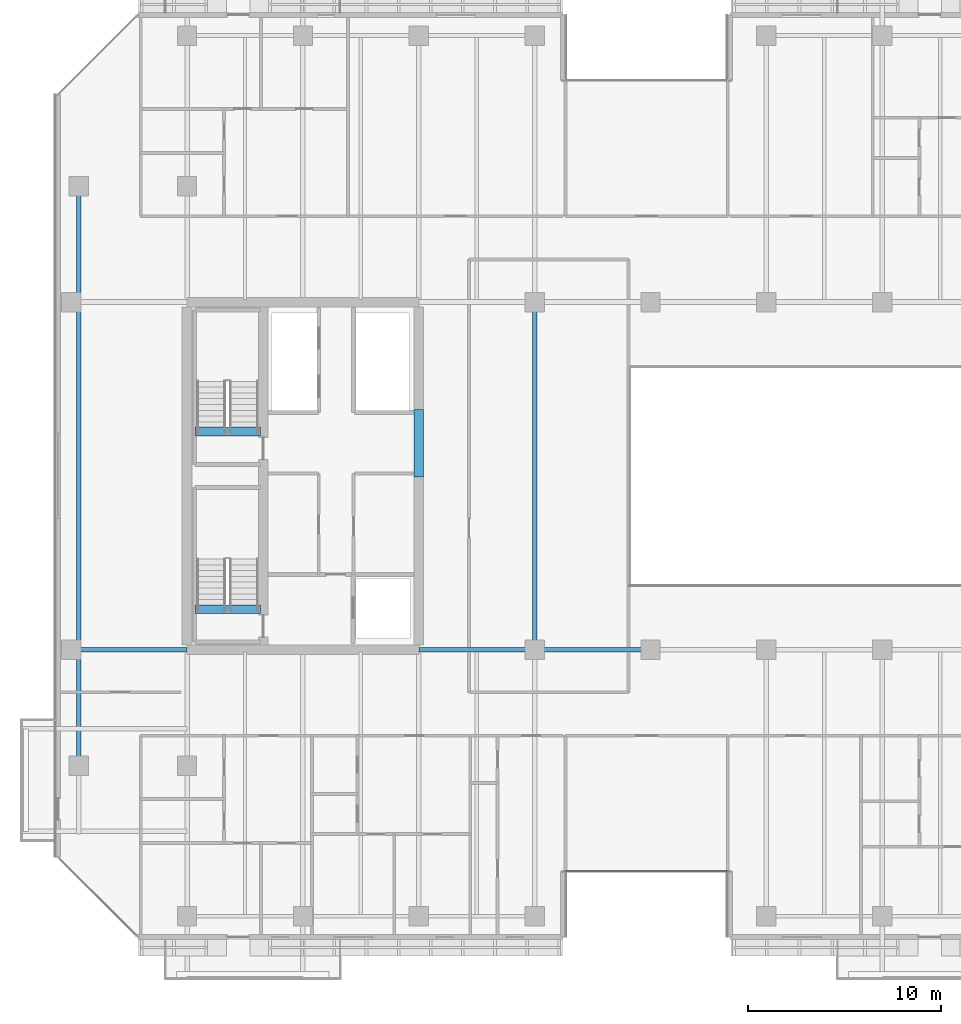
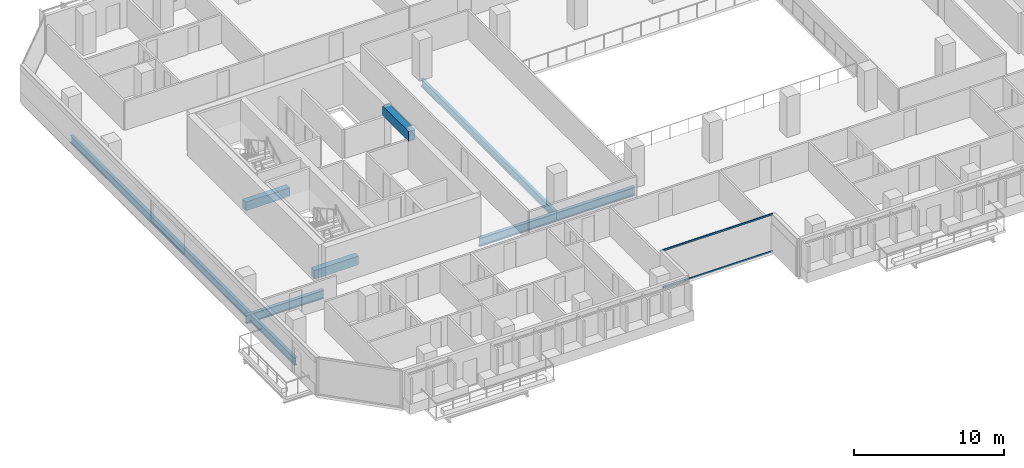
# One storey, part 5 of 33: 8 beams, 2 members, 1 element without a shape of its own.
"""IFC4 building model written with IfcOpenShell, lengths in metres."""

from ifc_helpers import new_model, si_unit, direction, frame, origin, origin_2d, place, context, subcontext, project, spatial, rectangle, hollow_rectangle, i_section, extrude, material, layer, layer_set, material_profile, profile_set, type_object, element, aggregate, save


model = new_model("IFC4")

# Units and contexts
model_context = context("Model", 3, precision=1e-05, world=origin(), true_north=direction((0.0, 1.0)))
body_context = subcontext(model_context, "Body", "Model", "MODEL_VIEW")
ifc_project = project(units=[si_unit("LENGTHUNIT", "METRE"), si_unit("AREAUNIT", "SQUARE_METRE"), si_unit("VOLUMEUNIT", "CUBIC_METRE"), si_unit("PLANEANGLEUNIT", "RADIAN"), si_unit("MASSUNIT", "GRAM", prefix="KILO")], contexts=[model_context])

# Site, building, storey
site_placement = place(None, origin())
site = spatial("IfcSite", under=ifc_project, at=site_placement, CompositionType="ELEMENT")
building_placement = place(site_placement, origin())
building = spatial("IfcBuilding", under=site, at=building_placement, Name="Tanjung Sevakor Pilgrim Tower", CompositionType="ELEMENT")
storey_placement = place(building_placement, frame((0.0, 0.0, 95.3701171875)))
storey = spatial("IfcBuildingStorey", under=building, at=storey_placement, Name="L26", CompositionType="ELEMENT", Elevation=95.3701171875)

# Beams
ifc_material_1 = material(Name="Steel S355J2", Category="steel")
ifc_material_profile_1 = material_profile(ifc_material_1, i_section(OverallWidth=0.25439453125, OverallDepth=0.6875, WebThickness=0.01318359375, FlangeThickness=0.02099609375, FilletRadius=0.01513671875, at=origin_2d()))
ifc_profile_set_1 = profile_set([ifc_material_profile_1], Name="Steel S355J2")
beam_type_1 = type_object("IfcBeamType", Name="BM-B-G2-UB_686x254x152", PredefinedType="BEAM", material=ifc_profile_set_1)
for number, where, z_axis, x_axis, name in (
    (1, (18.0, 24.60009765625, -0.563720703125), (1.0, 0.0, 0.0), (0.0, 1.0, 0.0), "L26 Primary Floor Girder MAIN Y246-01"),
    (2, (36.0, 24.60009765625, -0.563720703125), (1.0, 0.0, 0.0), (0.0, 1.0, 0.0), "L26 Primary Floor Girder MAIN Y246-02"),
    (3, (42.0, 24.60009765625, -0.563720703125), (1.0, 0.0, 0.0), (0.0, 1.0, 0.0), "L26 Primary Floor Girder MAIN Y246-03"),
):
    element("IfcBeam", number, at=place(storey_placement, frame(where, z_axis=z_axis, x_axis=x_axis)), inside=storey, type_object=beam_type_1, Name=name, PredefinedType="BEAM", context=body_context, shape_type="SweptSolid", body=[
        extrude(i_section(OverallWidth=0.25439453125, OverallDepth=0.6875, WebThickness=0.01318359375, FlangeThickness=0.02099609375, FilletRadius=0.01513671875, at=origin_2d()), origin(), (0.0, 0.0, 1.0), 6.0),
    ])
ifc_material_2 = material(Name="Steel S355J2", Category="steel")
ifc_material_profile_2 = material_profile(ifc_material_2, i_section(OverallWidth=0.230224609375, OverallDepth=0.6171875, WebThickness=0.01318359375, FlangeThickness=0.022216796875, FilletRadius=0.0126953125, at=origin_2d()))
ifc_profile_set_2 = profile_set([ifc_material_profile_2], Name="Steel S355J2")
beam_type_2 = type_object("IfcBeamType", Name="BM-B-G3-UB_610x229x140", PredefinedType="BEAM", material=ifc_profile_set_2)
beam_1_placement = place(storey_placement, frame((42.0, 24.60009765625, -0.52880859375), z_axis=(0.0, 1.0, 0.0), x_axis=(-1.0, 0.0, 0.0)))
element("IfcBeam", 4, at=beam_1_placement, inside=storey, type_object=beam_type_2, Name="L26 MAIN Girder 010", PredefinedType="BEAM", context=body_context, shape_type="SweptSolid", body=[
    extrude(i_section(OverallWidth=0.230224609375, OverallDepth=0.6171875, WebThickness=0.01318359375, FlangeThickness=0.022216796875, FilletRadius=0.0126953125, at=origin_2d()), origin(), (0.0, 0.0, 1.0), 18.0),
])
ifc_material_3 = material(Name="Steel S355J2", Category="steel")
ifc_material_profile_3 = material_profile(ifc_material_3, i_section(OverallWidth=0.22900390625, OverallDepth=0.6123046875, WebThickness=0.011962890625, FlangeThickness=0.01953125, FilletRadius=0.0126953125, at=origin_2d()))
ifc_profile_set_3 = profile_set([ifc_material_profile_3], Name="Steel S355J2")
beam_type_3 = type_object("IfcBeamType", Name="BM-B-G4-UB_610x229x125", PredefinedType="BEAM", material=ifc_profile_set_3)
beam_2_placement = place(storey_placement, frame((18.39990234375, 18.60009765625, -0.526123046875), z_axis=(0.0, 1.0, 0.0), x_axis=(-1.0, 0.0, 0.0)))
element("IfcBeam", 5, at=beam_2_placement, inside=storey, type_object=beam_type_3, Name="L26 Short-End Edge Girder W", PredefinedType="BEAM", context=body_context, shape_type="SweptSolid", body=[
    extrude(i_section(OverallWidth=0.22900390625, OverallDepth=0.6123046875, WebThickness=0.011962890625, FlangeThickness=0.01953125, FilletRadius=0.0126953125, at=origin_2d()), origin(), (0.0, 0.0, 1.0), 30.0),
])
ifc_material_4 = material(Name="Concrete C60/75", Category="concrete")
ifc_material_profile_4 = material_profile(ifc_material_4, rectangle(XDim=0.5, YDim=0.800048828125, at=origin_2d()))
ifc_profile_set_4 = profile_set([ifc_material_profile_4], Name="Concrete C60/75")
beam_type_4 = type_object("IfcBeamType", Name="BM-B-LN2-RC-BM_500x800", PredefinedType="LINTEL", material=ifc_profile_set_4)
beam_3_placement = place(storey_placement, frame((36.0, 33.550048828125, 2.679931640625), z_axis=(0.0, 1.0, 0.0), x_axis=(-1.0, 0.0, 0.0)))
element("IfcBeam", 6, at=beam_3_placement, inside=storey, type_object=beam_type_4, Name="L26 W Core Coupling Lintel", PredefinedType="LINTEL", context=body_context, shape_type="SweptSolid", body=[
    extrude(rectangle(XDim=0.5, YDim=0.800048828125, at=origin_2d()), origin(), (0.0, 0.0, 1.0), 3.5),
])
ifc_material_5 = material(Name="Concrete C60/75", Category="concrete")
ifc_material_profile_5 = material_profile(ifc_material_5, rectangle(XDim=0.449951171875, YDim=0.699951171875, at=origin_2d()))
ifc_profile_set_5 = profile_set([ifc_material_profile_5], Name="Concrete C60/75")
beam_type_5 = type_object("IfcBeamType", Name="BM-B-LN3-RC-BM_450x700", PredefinedType="LINTEL", material=ifc_profile_set_5)
for number, where, z_axis, x_axis, name in (
    (7, (24.39990234375, 26.699951171875, -0.35009765625), (1.0, 0.0, 0.0), (0.0, 1.0, 0.0), "L26 TS-W1 Stair Threshold Beam"),
    (8, (24.39990234375, 35.89990234375, -0.35009765625), (1.0, 0.0, 0.0), (0.0, 1.0, 0.0), "L26 TS-W2 Stair Threshold Beam"),
):
    element("IfcBeam", number, at=place(storey_placement, frame(where, z_axis=z_axis, x_axis=x_axis)), inside=storey, type_object=beam_type_5, Name=name, PredefinedType="LINTEL", context=body_context, shape_type="SweptSolid", body=[
        extrude(rectangle(XDim=0.449951171875, YDim=0.699951171875, at=origin_2d()), origin(), (0.0, 0.0, 1.0), 3.400146484375),
    ])

# Curtain wall, members
ifc_material_6 = material(Name="Aluminium 6063-T6 and Low-E Glass", Category="aluminium")
ifc_layer = layer(ifc_material_6, 0.179931640625)
ifc_layer_set = layer_set([ifc_layer], Name="CW-SYS-CLEFT")
curtain_wall_type = type_object("IfcCurtainWallType", Name="CW-SYS-CLEFT", PredefinedType="NOTDEFINED", material=ifc_layer_set)
curtain_wall_placement = place(storey_placement, origin())
curtain_wall = element("IfcCurtainWall", 9, at=curtain_wall_placement, inside=storey, type_object=curtain_wall_type, Name="L26 Curtain Wall CW-CLF-L26-2", PredefinedType="NOTDEFINED")
ifc_material_7 = material(Name="Aluminium 6063-T6", Category="aluminium")
ifc_material_profile_6 = material_profile(ifc_material_7, hollow_rectangle(XDim=0.06494140625, YDim=0.139892578125, WallThickness=0.00390625, at=origin_2d()))
ifc_profile_set_6 = profile_set([ifc_material_profile_6], Name="Aluminium 6063-T6")
member_type = type_object("IfcMemberType", Name="TYPE-CWT-1", PredefinedType="USERDEFINED", material=ifc_profile_set_6)
member_1_placement = place(storey_placement, frame((43.550048828125, 13.125, 0.032470703125), z_axis=(1.0, 0.0, 0.0), x_axis=(0.0, 1.0, 0.0)))
member_1 = element("IfcMember", 10, at=member_1_placement, type_object=member_type, Name="CW-CLF transom 1.1", ObjectType="TRANSOM", PredefinedType="USERDEFINED", context=body_context, shape_type="SweptSolid", body=[
    extrude(hollow_rectangle(XDim=0.06494140625, YDim=0.139892578125, WallThickness=0.00390625, at=origin_2d()), origin(), (0.0, 0.0, 1.0), 8.5),
])
member_2_placement = place(storey_placement, frame((43.550048828125, 13.125, 3.04736328125), z_axis=(1.0, 0.0, 0.0), x_axis=(0.0, 1.0, 0.0)))
member_2 = element("IfcMember", 11, at=member_2_placement, type_object=member_type, Name="CW-CLF transom 1.2", ObjectType="TRANSOM", PredefinedType="USERDEFINED", context=body_context, shape_type="SweptSolid", body=[
    extrude(hollow_rectangle(XDim=0.06494140625, YDim=0.139892578125, WallThickness=0.00390625, at=origin_2d()), origin(), (0.0, 0.0, 1.0), 8.5),
])
aggregate(curtain_wall, [member_1, member_2])

save(model, "model.ifc")
